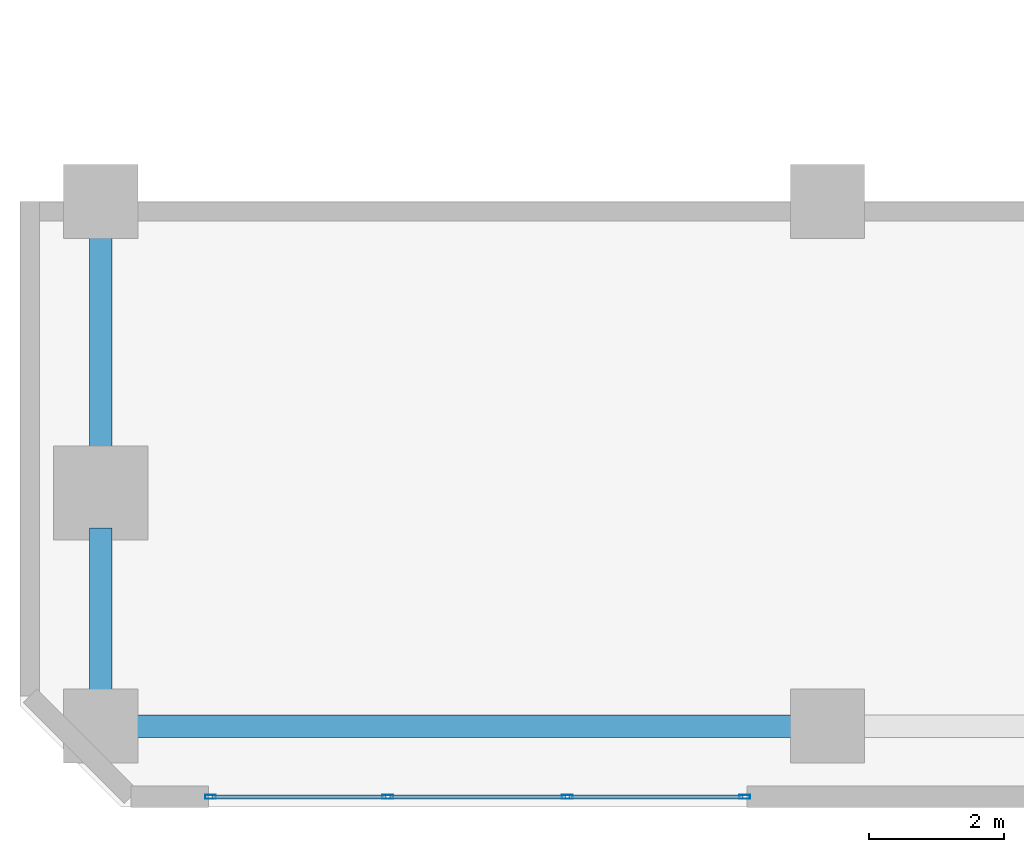
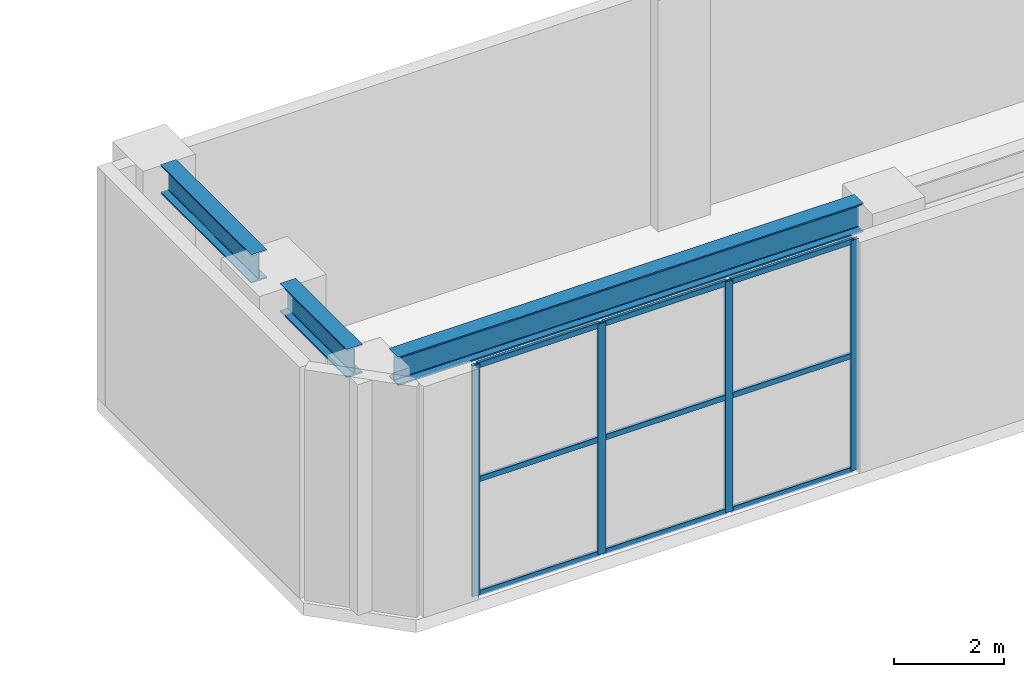
# One storey, part 2 of 28: 13 members, 3 beams, 1 element without a shape of its own.
"""IFC4 building model written with IfcOpenShell, lengths in metres."""

from ifc_helpers import new_model, si_unit, direction, frame, origin, origin_2d, place, context, subcontext, project, spatial, hollow_rectangle, i_section, extrude, material, layer, layer_set, material_profile, profile_set, type_object, element, aggregate, save


model = new_model("IFC4")

# Units and contexts
model_context = context("Model", 3, precision=1e-05, world=origin(), true_north=direction((0.0, 1.0)))
body_context = subcontext(model_context, "Body", "Model", "MODEL_VIEW")
ifc_project = project(units=[si_unit("LENGTHUNIT", "METRE"), si_unit("AREAUNIT", "SQUARE_METRE"), si_unit("VOLUMEUNIT", "CUBIC_METRE"), si_unit("PLANEANGLEUNIT", "RADIAN"), si_unit("MASSUNIT", "GRAM", prefix="KILO")], contexts=[model_context])

# Site, building, storey
site_placement = place(None, origin())
site = spatial("IfcSite", under=ifc_project, at=site_placement, CompositionType="ELEMENT")
building_placement = place(site_placement, origin())
building = spatial("IfcBuilding", under=site, at=building_placement, Name="Sarneth Arch Tower", CompositionType="ELEMENT")
storey_placement = place(building_placement, frame((0.0, 0.0, 6.0)))
storey = spatial("IfcBuildingStorey", under=building, at=storey_placement, Name="L01", CompositionType="ELEMENT", Elevation=6.0)

# Beams
ifc_material_1 = material(Name="Steel S355", Category="steel")
ifc_material_profile_1 = material_profile(ifc_material_1, i_section(OverallWidth=0.3291015625, OverallDepth=0.635009765625, WebThickness=0.017822265625, FlangeThickness=0.031005859375, FilletRadius=0.01904296875, at=origin_2d()), Name="W610x241")
ifc_profile_set_1 = profile_set([ifc_material_profile_1], Name="Steel S355")
beam_type = type_object("IfcBeamType", Name="BM-POD-610", PredefinedType="BEAM", material=ifc_profile_set_1)
beam_1_placement = place(storey_placement, frame((9.719970703125, 9.199951171875, 4.802490234375), z_axis=(1.0, 0.0, 0.0), x_axis=(0.0, 1.0, 0.0)))
element("IfcBeam", 1, at=beam_1_placement, inside=storey, type_object=beam_type, Name="L01 Podium PS girder 1", PredefinedType="BEAM", context=body_context, shape_type="SweptSolid", body=[
    extrude(i_section(OverallWidth=0.3291015625, OverallDepth=0.635009765625, WebThickness=0.017822265625, FlangeThickness=0.031005859375, FilletRadius=0.01904296875, at=origin_2d()), origin(), (0.0, 0.0, 1.0), 9.760009765625),
])
beam_2_placement = place(storey_placement, frame((9.199951171875, 9.719970703125, 4.802490234375), z_axis=(0.0, 1.0, 0.0), x_axis=(-1.0, 0.0, 0.0)))
element("IfcBeam", 2, at=beam_2_placement, inside=storey, type_object=beam_type, Name="L01 Podium PW girder 1", PredefinedType="BEAM", context=body_context, shape_type="SweptSolid", body=[
    extrude(i_section(OverallWidth=0.3291015625, OverallDepth=0.635009765625, WebThickness=0.017822265625, FlangeThickness=0.031005859375, FilletRadius=0.01904296875, at=origin_2d()), origin(), (0.0, 0.0, 1.0), 2.42333984375),
])
beam_3_placement = place(storey_placement, frame((9.199951171875, 13.183349609375, 4.802490234375), z_axis=(0.0, 1.0, 0.0), x_axis=(-1.0, 0.0, 0.0)))
element("IfcBeam", 3, at=beam_3_placement, inside=storey, type_object=beam_type, Name="L01 Podium PW girder 2", PredefinedType="BEAM", context=body_context, shape_type="SweptSolid", body=[
    extrude(i_section(OverallWidth=0.3291015625, OverallDepth=0.635009765625, WebThickness=0.017822265625, FlangeThickness=0.031005859375, FilletRadius=0.01904296875, at=origin_2d()), origin(), (0.0, 0.0, 1.0), 3.296630859375),
])

# Curtain wall, members
ifc_material_2 = material(Name="Anodised aluminium Type AA25 and solar-control low-e laminated IGU", Category="aluminium")
ifc_layer = layer(ifc_material_2, 0.179931640625)
ifc_layer_set = layer_set([ifc_layer], Name="Anodised aluminium Type AA25 and solar-control low-e laminated IGU")
curtain_wall_type = type_object("IfcCurtainWallType", Name="CW-PODIUM-CHAMF", PredefinedType="NOTDEFINED", material=ifc_layer_set)
curtain_wall_placement = place(storey_placement, origin())
curtain_wall = element("IfcCurtainWall", 4, at=curtain_wall_placement, inside=storey, type_object=curtain_wall_type, Name="L01 Podium bay curtain wall SW", PredefinedType="NOTDEFINED")
ifc_material_3 = material(Name="Anodised Aluminium 6063-T6", Category="aluminium")
ifc_material_profile_2 = material_profile(ifc_material_3, hollow_rectangle(XDim=0.06005859375, YDim=0.159912109375, WallThickness=0.00390625, at=origin_2d()), Name="AL-MULL-160x60x4")
ifc_profile_set_2 = profile_set([ifc_material_profile_2], Name="Anodised Aluminium 6063-T6")
member_type_1 = type_object("IfcMemberType", Name="CW-MULLION", PredefinedType="MULLION", material=ifc_profile_set_2)
member_1_placement = place(storey_placement, frame((10.830078125, 8.14990234375, 0.0), z_axis=(0.0, 0.0, 1.0), x_axis=(0.0, 1.0, 0.0)))
member_1 = element("IfcMember", 5, at=member_1_placement, type_object=member_type_1, Name="CW-SYS-1 mullion 1", PredefinedType="MULLION", context=body_context, shape_type="SweptSolid", body=[
    extrude(hollow_rectangle(XDim=0.06005859375, YDim=0.159912109375, WallThickness=0.00390625, at=origin_2d()), origin(), (0.0, 0.0, 1.0), 5.1201171875),
])
member_2_placement = place(storey_placement, frame((13.466552734375, 8.14990234375, 0.0), z_axis=(0.0, 0.0, 1.0), x_axis=(0.0, 1.0, 0.0)))
member_2 = element("IfcMember", 6, at=member_2_placement, type_object=member_type_1, Name="CW-SYS-1 mullion 2", PredefinedType="MULLION", context=body_context, shape_type="SweptSolid", body=[
    extrude(hollow_rectangle(XDim=0.06005859375, YDim=0.159912109375, WallThickness=0.00390625, at=origin_2d()), origin(), (0.0, 0.0, 1.0), 5.1201171875),
])
member_3_placement = place(storey_placement, frame((16.13330078125, 8.14990234375, 0.0), z_axis=(0.0, 0.0, 1.0), x_axis=(0.0, 1.0, 0.0)))
member_3 = element("IfcMember", 7, at=member_3_placement, type_object=member_type_1, Name="CW-SYS-1 mullion 3", PredefinedType="MULLION", context=body_context, shape_type="SweptSolid", body=[
    extrude(hollow_rectangle(XDim=0.06005859375, YDim=0.159912109375, WallThickness=0.00390625, at=origin_2d()), origin(), (0.0, 0.0, 1.0), 5.1201171875),
])
member_4_placement = place(storey_placement, frame((18.77001953125, 8.14990234375, 0.0), z_axis=(0.0, 0.0, 1.0), x_axis=(0.0, 1.0, 0.0)))
member_4 = element("IfcMember", 8, at=member_4_placement, type_object=member_type_1, Name="CW-SYS-1 mullion 4", PredefinedType="MULLION", context=body_context, shape_type="SweptSolid", body=[
    extrude(hollow_rectangle(XDim=0.06005859375, YDim=0.159912109375, WallThickness=0.00390625, at=origin_2d()), origin(), (0.0, 0.0, 1.0), 5.1201171875),
])
ifc_material_4 = material(Name="Anodised Aluminium 6063-T6", Category="aluminium")
ifc_material_profile_3 = material_profile(ifc_material_4, hollow_rectangle(XDim=0.06005859375, YDim=0.1201171875, WallThickness=0.00390625, at=origin_2d()), Name="AL-TRAN-120x60x4")
ifc_profile_set_3 = profile_set([ifc_material_profile_3], Name="Anodised Aluminium 6063-T6")
member_type_2 = type_object("IfcMemberType", Name="CW-TRANSOM", PredefinedType="USERDEFINED", material=ifc_profile_set_3)
member_5_placement = place(storey_placement, frame((10.860107421875, 8.14990234375, 0.030029296875), z_axis=(1.0, 0.0, 0.0), x_axis=(0.0, 1.0, 0.0)))
member_5 = element("IfcMember", 9, at=member_5_placement, type_object=member_type_2, Name="CW-SYS-1 transom 1.1", ObjectType="TRANSOM", PredefinedType="USERDEFINED", context=body_context, shape_type="SweptSolid", body=[
    extrude(hollow_rectangle(XDim=0.06005859375, YDim=0.1201171875, WallThickness=0.00390625, at=origin_2d()), origin(), (0.0, 0.0, 1.0), 2.57666015625),
])
member_6_placement = place(storey_placement, frame((10.860107421875, 8.14990234375, 2.56005859375), z_axis=(1.0, 0.0, 0.0), x_axis=(0.0, 1.0, 0.0)))
member_6 = element("IfcMember", 10, at=member_6_placement, type_object=member_type_2, Name="CW-SYS-1 transom 1.2", ObjectType="TRANSOM", PredefinedType="USERDEFINED", context=body_context, shape_type="SweptSolid", body=[
    extrude(hollow_rectangle(XDim=0.06005859375, YDim=0.1201171875, WallThickness=0.00390625, at=origin_2d()), origin(), (0.0, 0.0, 1.0), 2.57666015625),
])
member_7_placement = place(storey_placement, frame((10.860107421875, 8.14990234375, 5.090087890625), z_axis=(1.0, 0.0, 0.0), x_axis=(0.0, 1.0, 0.0)))
member_7 = element("IfcMember", 11, at=member_7_placement, type_object=member_type_2, Name="CW-SYS-1 transom 1.3", ObjectType="TRANSOM", PredefinedType="USERDEFINED", context=body_context, shape_type="SweptSolid", body=[
    extrude(hollow_rectangle(XDim=0.06005859375, YDim=0.1201171875, WallThickness=0.00390625, at=origin_2d()), origin(), (0.0, 0.0, 1.0), 2.57666015625),
])
member_8_placement = place(storey_placement, frame((13.49658203125, 8.14990234375, 0.030029296875), z_axis=(1.0, 0.0, 0.0), x_axis=(0.0, 1.0, 0.0)))
member_8 = element("IfcMember", 12, at=member_8_placement, type_object=member_type_2, Name="CW-SYS-1 transom 2.1", ObjectType="TRANSOM", PredefinedType="USERDEFINED", context=body_context, shape_type="SweptSolid", body=[
    extrude(hollow_rectangle(XDim=0.06005859375, YDim=0.1201171875, WallThickness=0.00390625, at=origin_2d()), origin(), (0.0, 0.0, 1.0), 2.606689453125),
])
member_9_placement = place(storey_placement, frame((13.49658203125, 8.14990234375, 2.56005859375), z_axis=(1.0, 0.0, 0.0), x_axis=(0.0, 1.0, 0.0)))
member_9 = element("IfcMember", 13, at=member_9_placement, type_object=member_type_2, Name="CW-SYS-1 transom 2.2", ObjectType="TRANSOM", PredefinedType="USERDEFINED", context=body_context, shape_type="SweptSolid", body=[
    extrude(hollow_rectangle(XDim=0.06005859375, YDim=0.1201171875, WallThickness=0.00390625, at=origin_2d()), origin(), (0.0, 0.0, 1.0), 2.606689453125),
])
member_10_placement = place(storey_placement, frame((13.49658203125, 8.14990234375, 5.090087890625), z_axis=(1.0, 0.0, 0.0), x_axis=(0.0, 1.0, 0.0)))
member_10 = element("IfcMember", 14, at=member_10_placement, type_object=member_type_2, Name="CW-SYS-1 transom 2.3", ObjectType="TRANSOM", PredefinedType="USERDEFINED", context=body_context, shape_type="SweptSolid", body=[
    extrude(hollow_rectangle(XDim=0.06005859375, YDim=0.1201171875, WallThickness=0.00390625, at=origin_2d()), origin(), (0.0, 0.0, 1.0), 2.606689453125),
])
member_11_placement = place(storey_placement, frame((16.163330078125, 8.14990234375, 0.030029296875), z_axis=(1.0, 0.0, 0.0), x_axis=(0.0, 1.0, 0.0)))
member_11 = element("IfcMember", 15, at=member_11_placement, type_object=member_type_2, Name="CW-SYS-1 transom 3.1", ObjectType="TRANSOM", PredefinedType="USERDEFINED", context=body_context, shape_type="SweptSolid", body=[
    extrude(hollow_rectangle(XDim=0.06005859375, YDim=0.1201171875, WallThickness=0.00390625, at=origin_2d()), origin(), (0.0, 0.0, 1.0), 2.57666015625),
])
member_12_placement = place(storey_placement, frame((16.163330078125, 8.14990234375, 2.56005859375), z_axis=(1.0, 0.0, 0.0), x_axis=(0.0, 1.0, 0.0)))
member_12 = element("IfcMember", 16, at=member_12_placement, type_object=member_type_2, Name="CW-SYS-1 transom 3.2", ObjectType="TRANSOM", PredefinedType="USERDEFINED", context=body_context, shape_type="SweptSolid", body=[
    extrude(hollow_rectangle(XDim=0.06005859375, YDim=0.1201171875, WallThickness=0.00390625, at=origin_2d()), origin(), (0.0, 0.0, 1.0), 2.57666015625),
])
member_13_placement = place(storey_placement, frame((16.163330078125, 8.14990234375, 5.090087890625), z_axis=(1.0, 0.0, 0.0), x_axis=(0.0, 1.0, 0.0)))
member_13 = element("IfcMember", 17, at=member_13_placement, type_object=member_type_2, Name="CW-SYS-1 transom 3.3", ObjectType="TRANSOM", PredefinedType="USERDEFINED", context=body_context, shape_type="SweptSolid", body=[
    extrude(hollow_rectangle(XDim=0.06005859375, YDim=0.1201171875, WallThickness=0.00390625, at=origin_2d()), origin(), (0.0, 0.0, 1.0), 2.57666015625),
])
aggregate(curtain_wall, [member_1, member_2, member_3, member_4, member_5, member_6, member_7, member_8, member_9, member_10, member_11, member_12, member_13])

save(model, "model.ifc")
